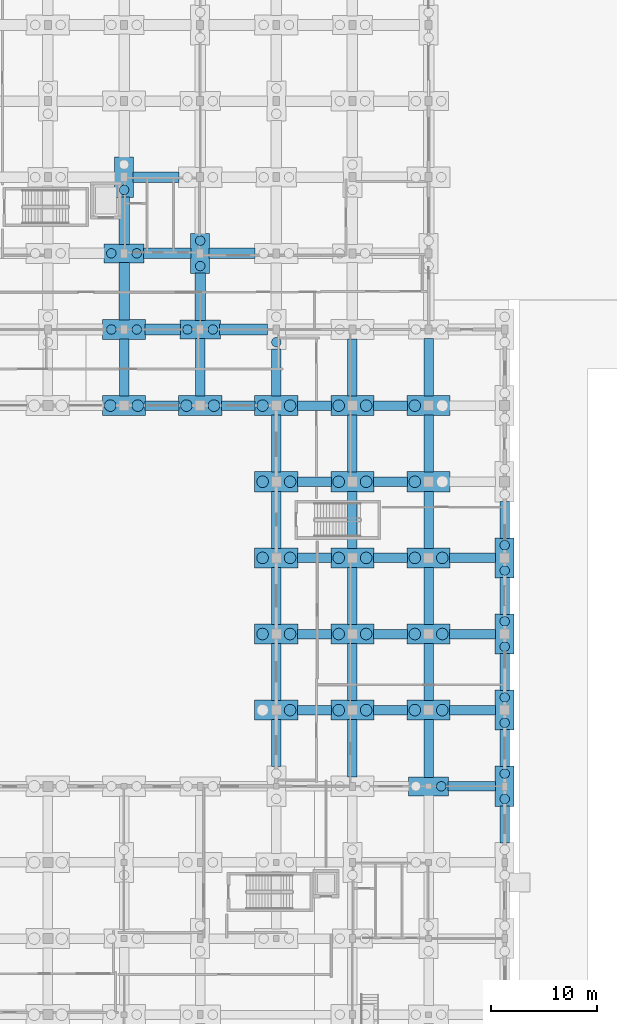
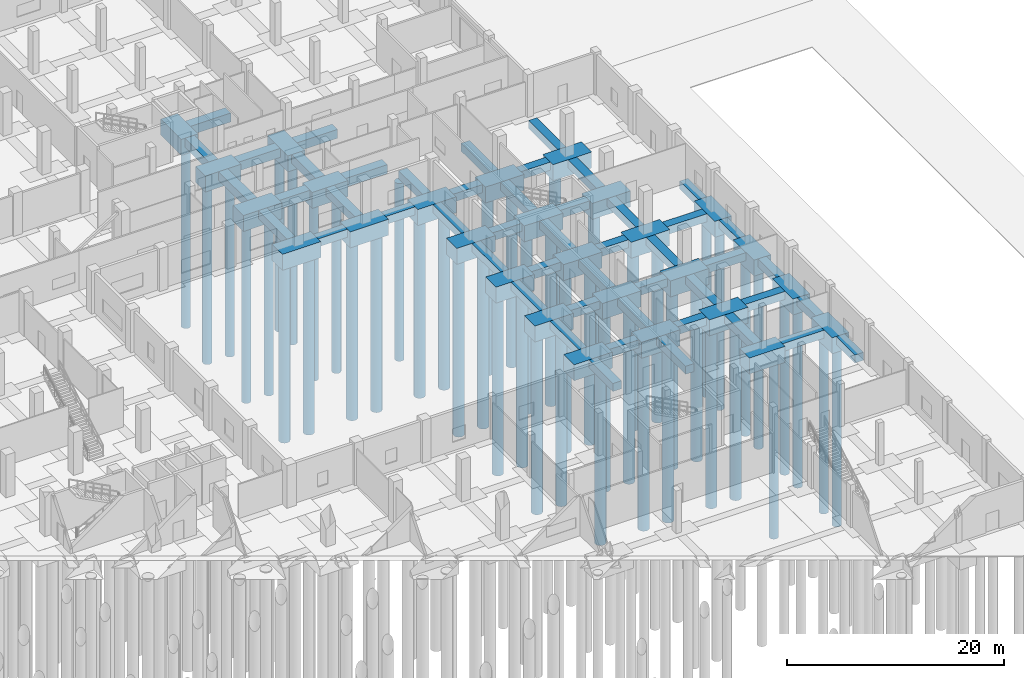
# One storey, part 11 of 48: 76 footings, 50 piles.
"""IFC4 building model written with IfcOpenShell, lengths in metres."""

from ifc_helpers import new_model, si_unit, direction, frame, origin, origin_2d, place, context, subcontext, project, spatial, rectangle, circle, extrude, material, material_profile, profile_set, type_object, element, save


model = new_model("IFC4")

# Units and contexts
model_context = context("Model", 3, precision=1e-05, world=origin(), true_north=direction((0.0, 1.0)))
body_context = subcontext(model_context, "Body", "Model", "MODEL_VIEW")
ifc_project = project(units=[si_unit("LENGTHUNIT", "METRE"), si_unit("AREAUNIT", "SQUARE_METRE"), si_unit("VOLUMEUNIT", "CUBIC_METRE"), si_unit("PLANEANGLEUNIT", "RADIAN"), si_unit("MASSUNIT", "GRAM", prefix="KILO")], contexts=[model_context])

# Site, building, storey
site_placement = place(None, origin())
site = spatial("IfcSite", under=ifc_project, at=site_placement, CompositionType="ELEMENT")
building_placement = place(site_placement, origin())
building = spatial("IfcBuilding", under=site, at=building_placement, Name="Seraya Terrace Polytechnic", CompositionType="ELEMENT")
storey_placement = place(building_placement, origin())
storey = spatial("IfcBuildingStorey", under=building, at=storey_placement, Name="L00", CompositionType="ELEMENT", Elevation=0.0)

# Piles
ifc_material = material(Name="Concrete C40/50", Category="concrete")
ifc_material_profile_1 = material_profile(ifc_material, circle(Radius=0.449951171875, at=origin_2d()), Name="DIA 900")
ifc_profile_set_1 = profile_set([ifc_material_profile_1], Name="Concrete C40/50")
pile_type_1 = type_object("IfcPileType", Name="BP-02", PredefinedType="BORED", material=ifc_profile_set_1)
for number, where, z_axis, x_axis, name in (
    (1, (128.39990234375, 79.199951171875, -1.699951171875), (0.0, 0.0, -1.0), (1.0, 0.0, 0.0), "Bored pile BP-02 1296_0792-1"),
    (2, (130.800048828125, 79.199951171875, -1.699951171875), (0.0, 0.0, -1.0), (1.0, 0.0, 0.0), "Bored pile BP-02 1296_0792-2"),
    (3, (128.39990234375, 86.39990234375, -1.699951171875), (0.0, 0.0, -1.0), (1.0, 0.0, 0.0), "Bored pile BP-02 1296_0864-1"),
    (4, (130.800048828125, 86.39990234375, -1.699951171875), (0.0, 0.0, -1.0), (1.0, 0.0, 0.0), "Bored pile BP-02 1296_0864-2"),
    (5, (129.60009765625, 92.39990234375, -1.699951171875), (0.0, 0.0, -1.0), (1.0, 0.0, 0.0), "Bored pile BP-02 1296_0936-1"),
    (6, (135.60009765625, 79.199951171875, -1.699951171875), (0.0, 0.0, -1.0), (1.0, 0.0, 0.0), "Bored pile BP-02 1368_0792-1"),
    (7, (138.0, 79.199951171875, -1.699951171875), (0.0, 0.0, -1.0), (1.0, 0.0, 0.0), "Bored pile BP-02 1368_0792-2"),
    (8, (136.800048828125, 85.199951171875, -1.699951171875), (0.0, 0.0, -1.0), (1.0, 0.0, 0.0), "Bored pile BP-02 1368_0864-1"),
    (9, (136.800048828125, 87.60009765625, -1.699951171875), (0.0, 0.0, -1.0), (1.0, 0.0, 0.0), "Bored pile BP-02 1368_0864-2"),
    (10, (144.0, 78.0, -1.699951171875), (0.0, 0.0, -1.0), (1.0, 0.0, 0.0), "Bored pile BP-02 1440_0792-1"),
    (11, (159.60009765625, 36.0, -1.699951171875), (0.0, 0.0, -1.0), (1.0, 0.0, 0.0), "Bored pile BP-02 1584_0360-2"),
    (12, (165.60009765625, 34.800048828125, -1.699951171875), (0.0, 0.0, -1.0), (1.0, 0.0, 0.0), "Bored pile BP-02 1656_0360-1"),
    (13, (165.60009765625, 37.199951171875, -1.699951171875), (0.0, 0.0, -1.0), (1.0, 0.0, 0.0), "Bored pile BP-02 1656_0360-2"),
    (14, (165.60009765625, 42.0, -1.699951171875), (0.0, 0.0, -1.0), (1.0, 0.0, 0.0), "Bored pile BP-02 1656_0432-1"),
    (15, (165.60009765625, 44.39990234375, -1.699951171875), (0.0, 0.0, -1.0), (1.0, 0.0, 0.0), "Bored pile BP-02 1656_0432-2"),
    (16, (165.60009765625, 49.199951171875, -1.699951171875), (0.0, 0.0, -1.0), (1.0, 0.0, 0.0), "Bored pile BP-02 1656_0504-1"),
    (17, (165.60009765625, 51.60009765625, -1.699951171875), (0.0, 0.0, -1.0), (1.0, 0.0, 0.0), "Bored pile BP-02 1656_0504-2"),
    (18, (165.60009765625, 56.39990234375, -1.699951171875), (0.0, 0.0, -1.0), (1.0, 0.0, 0.0), "Bored pile BP-02 1656_0576-1"),
    (19, (165.60009765625, 58.800048828125, -1.699951171875), (0.0, 0.0, -1.0), (1.0, 0.0, 0.0), "Bored pile BP-02 1656_0576-2"),
):
    element("IfcPile", number, at=place(storey_placement, frame(where, z_axis=z_axis, x_axis=x_axis)), inside=storey, type_object=pile_type_1, Name=name, PredefinedType="BORED", context=body_context, shape_type="SweptSolid", body=[
        extrude(circle(Radius=0.449951171875, at=origin_2d()), origin(), (0.0, 0.0, 1.0), 20.0),
    ])
ifc_material_profile_2 = material_profile(ifc_material, circle(Radius=0.550048828125, at=origin_2d()), Name="DIA 1100")
ifc_profile_set_2 = profile_set([ifc_material_profile_2], Name="Concrete C40/50")
pile_type_2 = type_object("IfcPileType", Name="BP-04", PredefinedType="BORED", material=ifc_profile_set_2)
for number, where, z_axis, x_axis, name in (
    (20, (128.300048828125, 72.0, -1.699951171875), (0.0, 0.0, -1.0), (1.0, 0.0, 0.0), "Bored pile BP-04 1296_0720-1"),
    (21, (130.89990234375, 72.0, -1.699951171875), (0.0, 0.0, -1.0), (1.0, 0.0, 0.0), "Bored pile BP-04 1296_0720-2"),
    (22, (135.5, 72.0, -1.699951171875), (0.0, 0.0, -1.0), (1.0, 0.0, 0.0), "Bored pile BP-04 1368_0720-1"),
    (23, (138.10009765625, 72.0, -1.699951171875), (0.0, 0.0, -1.0), (1.0, 0.0, 0.0), "Bored pile BP-04 1368_0720-2"),
    (24, (145.300048828125, 43.199951171875, -1.699951171875), (0.0, 0.0, -1.0), (1.0, 0.0, 0.0), "Bored pile BP-04 1440_0432-2"),
    (25, (142.699951171875, 50.39990234375, -1.699951171875), (0.0, 0.0, -1.0), (1.0, 0.0, 0.0), "Bored pile BP-04 1440_0504-1"),
    (26, (145.300048828125, 50.39990234375, -1.699951171875), (0.0, 0.0, -1.0), (1.0, 0.0, 0.0), "Bored pile BP-04 1440_0504-2"),
    (27, (142.699951171875, 57.60009765625, -1.699951171875), (0.0, 0.0, -1.0), (1.0, 0.0, 0.0), "Bored pile BP-04 1440_0576-1"),
    (28, (145.300048828125, 57.60009765625, -1.699951171875), (0.0, 0.0, -1.0), (1.0, 0.0, 0.0), "Bored pile BP-04 1440_0576-2"),
    (29, (142.699951171875, 64.800048828125, -1.699951171875), (0.0, 0.0, -1.0), (1.0, 0.0, 0.0), "Bored pile BP-04 1440_0648-1"),
    (30, (145.300048828125, 64.800048828125, -1.699951171875), (0.0, 0.0, -1.0), (1.0, 0.0, 0.0), "Bored pile BP-04 1440_0648-2"),
    (31, (142.699951171875, 72.0, -1.699951171875), (0.0, 0.0, -1.0), (1.0, 0.0, 0.0), "Bored pile BP-04 1440_0720-1"),
    (32, (145.300048828125, 72.0, -1.699951171875), (0.0, 0.0, -1.0), (1.0, 0.0, 0.0), "Bored pile BP-04 1440_0720-2"),
    (33, (149.89990234375, 43.199951171875, -1.699951171875), (0.0, 0.0, -1.0), (1.0, 0.0, 0.0), "Bored pile BP-04 1512_0432-1"),
    (34, (152.5, 43.199951171875, -1.699951171875), (0.0, 0.0, -1.0), (1.0, 0.0, 0.0), "Bored pile BP-04 1512_0432-2"),
    (35, (149.89990234375, 50.39990234375, -1.699951171875), (0.0, 0.0, -1.0), (1.0, 0.0, 0.0), "Bored pile BP-04 1512_0504-1"),
    (36, (152.5, 50.39990234375, -1.699951171875), (0.0, 0.0, -1.0), (1.0, 0.0, 0.0), "Bored pile BP-04 1512_0504-2"),
    (37, (149.89990234375, 57.60009765625, -1.699951171875), (0.0, 0.0, -1.0), (1.0, 0.0, 0.0), "Bored pile BP-04 1512_0576-1"),
    (38, (152.5, 57.60009765625, -1.699951171875), (0.0, 0.0, -1.0), (1.0, 0.0, 0.0), "Bored pile BP-04 1512_0576-2"),
    (39, (149.89990234375, 64.800048828125, -1.699951171875), (0.0, 0.0, -1.0), (1.0, 0.0, 0.0), "Bored pile BP-04 1512_0648-1"),
    (40, (152.5, 64.800048828125, -1.699951171875), (0.0, 0.0, -1.0), (1.0, 0.0, 0.0), "Bored pile BP-04 1512_0648-2"),
    (41, (149.89990234375, 72.0, -1.699951171875), (0.0, 0.0, -1.0), (1.0, 0.0, 0.0), "Bored pile BP-04 1512_0720-1"),
    (42, (152.5, 72.0, -1.699951171875), (0.0, 0.0, -1.0), (1.0, 0.0, 0.0), "Bored pile BP-04 1512_0720-2"),
    (43, (157.10009765625, 43.199951171875, -1.699951171875), (0.0, 0.0, -1.0), (1.0, 0.0, 0.0), "Bored pile BP-04 1584_0432-1"),
    (44, (159.699951171875, 43.199951171875, -1.699951171875), (0.0, 0.0, -1.0), (1.0, 0.0, 0.0), "Bored pile BP-04 1584_0432-2"),
    (45, (157.10009765625, 50.39990234375, -1.699951171875), (0.0, 0.0, -1.0), (1.0, 0.0, 0.0), "Bored pile BP-04 1584_0504-1"),
    (46, (159.699951171875, 50.39990234375, -1.699951171875), (0.0, 0.0, -1.0), (1.0, 0.0, 0.0), "Bored pile BP-04 1584_0504-2"),
    (47, (157.10009765625, 57.60009765625, -1.699951171875), (0.0, 0.0, -1.0), (1.0, 0.0, 0.0), "Bored pile BP-04 1584_0576-1"),
    (48, (159.699951171875, 57.60009765625, -1.699951171875), (0.0, 0.0, -1.0), (1.0, 0.0, 0.0), "Bored pile BP-04 1584_0576-2"),
    (49, (157.10009765625, 64.800048828125, -1.699951171875), (0.0, 0.0, -1.0), (1.0, 0.0, 0.0), "Bored pile BP-04 1584_0648-1"),
    (50, (157.10009765625, 72.0, -1.699951171875), (0.0, 0.0, -1.0), (1.0, 0.0, 0.0), "Bored pile BP-04 1584_0720-1"),
):
    element("IfcPile", number, at=place(storey_placement, frame(where, z_axis=z_axis, x_axis=x_axis)), inside=storey, type_object=pile_type_2, Name=name, PredefinedType="BORED", context=body_context, shape_type="SweptSolid", body=[
        extrude(circle(Radius=0.550048828125, at=origin_2d()), origin(), (0.0, 0.0, 1.0), 20.0),
    ])

# Footings
footing_type_1 = type_object("IfcFootingType", Name="FB-01", PredefinedType="FOOTING_BEAM", material=ifc_material)
footing_1_placement = place(storey_placement, frame((133.199951171875, 72.0, -0.89990234375), z_axis=(0.0, 0.0, 1.0), x_axis=(1.0, 0.0, 0.0)))
element("IfcFooting", 51, at=footing_1_placement, inside=storey, type_object=footing_type_1, Name="Foundation tie beam FB-01 X", PredefinedType="FOOTING_BEAM", context=body_context, shape_type="SweptSolid", body=[
    extrude(rectangle(XDim=3.199951171875, YDim=0.89990234375, at=origin_2d()), origin(), (0.0, 0.0, 1.0), 0.89990234375),
])
footing_2_placement = place(storey_placement, frame((129.60009765625, 75.60009765625, -0.89990234375), z_axis=(0.0, 0.0, 1.0), x_axis=(0.0, 1.0, 0.0)))
element("IfcFooting", 52, at=footing_2_placement, inside=storey, type_object=footing_type_1, Name="Foundation tie beam FB-01 Y", PredefinedType="FOOTING_BEAM", context=body_context, shape_type="SweptSolid", body=[
    extrude(rectangle(XDim=5.39990234375, YDim=0.89990234375, at=origin_2d()), origin(), (0.0, 0.0, 1.0), 0.89990234375),
])
footing_3_placement = place(storey_placement, frame((140.39990234375, 72.0, -0.89990234375), z_axis=(0.0, 0.0, 1.0), x_axis=(1.0, 0.0, 0.0)))
element("IfcFooting", 53, at=footing_3_placement, inside=storey, type_object=footing_type_1, Name="Foundation tie beam FB-01 X", PredefinedType="FOOTING_BEAM", context=body_context, shape_type="SweptSolid", body=[
    extrude(rectangle(XDim=3.199951171875, YDim=0.89990234375, at=origin_2d()), origin(), (0.0, 0.0, 1.0), 0.89990234375),
])
footing_4_placement = place(storey_placement, frame((136.800048828125, 75.625, -0.89990234375), z_axis=(0.0, 0.0, 1.0), x_axis=(0.0, 1.0, 0.0)))
element("IfcFooting", 54, at=footing_4_placement, inside=storey, type_object=footing_type_1, Name="Foundation tie beam FB-01 Y", PredefinedType="FOOTING_BEAM", context=body_context, shape_type="SweptSolid", body=[
    extrude(rectangle(XDim=5.449951171875, YDim=0.89990234375, at=origin_2d()), origin(), (0.0, 0.0, 1.0), 0.89990234375),
])
footing_5_placement = place(storey_placement, frame((144.0, 40.074951171875, -0.89990234375), z_axis=(0.0, 0.0, 1.0), x_axis=(0.0, 1.0, 0.0)))
element("IfcFooting", 55, at=footing_5_placement, inside=storey, type_object=footing_type_1, Name="Foundation tie beam FB-01 Y", PredefinedType="FOOTING_BEAM", context=body_context, shape_type="SweptSolid", body=[
    extrude(rectangle(XDim=4.449951171875, YDim=0.89990234375, at=origin_2d()), origin(), (0.0, 0.0, 1.0), 0.89990234375),
])
footing_6_placement = place(storey_placement, frame((147.60009765625, 43.199951171875, -0.89990234375), z_axis=(0.0, 0.0, 1.0), x_axis=(1.0, 0.0, 0.0)))
element("IfcFooting", 56, at=footing_6_placement, inside=storey, type_object=footing_type_1, Name="Foundation tie beam FB-01 X", PredefinedType="FOOTING_BEAM", context=body_context, shape_type="SweptSolid", body=[
    extrude(rectangle(XDim=3.199951171875, YDim=0.89990234375, at=origin_2d()), origin(), (0.0, 0.0, 1.0), 0.89990234375),
])
footing_7_placement = place(storey_placement, frame((144.0, 46.800048828125, -0.89990234375), z_axis=(0.0, 0.0, 1.0), x_axis=(0.0, 1.0, 0.0)))
element("IfcFooting", 57, at=footing_7_placement, inside=storey, type_object=footing_type_1, Name="Foundation tie beam FB-01 Y", PredefinedType="FOOTING_BEAM", context=body_context, shape_type="SweptSolid", body=[
    extrude(rectangle(XDim=5.39990234375, YDim=0.89990234375, at=origin_2d()), origin(), (0.0, 0.0, 1.0), 0.89990234375),
])
footing_8_placement = place(storey_placement, frame((147.60009765625, 50.39990234375, -0.89990234375), z_axis=(0.0, 0.0, 1.0), x_axis=(1.0, 0.0, 0.0)))
element("IfcFooting", 58, at=footing_8_placement, inside=storey, type_object=footing_type_1, Name="Foundation tie beam FB-01 X", PredefinedType="FOOTING_BEAM", context=body_context, shape_type="SweptSolid", body=[
    extrude(rectangle(XDim=3.199951171875, YDim=0.89990234375, at=origin_2d()), origin(), (0.0, 0.0, 1.0), 0.89990234375),
])
footing_9_placement = place(storey_placement, frame((144.0, 54.0, -0.89990234375), z_axis=(0.0, 0.0, 1.0), x_axis=(0.0, 1.0, 0.0)))
element("IfcFooting", 59, at=footing_9_placement, inside=storey, type_object=footing_type_1, Name="Foundation tie beam FB-01 Y", PredefinedType="FOOTING_BEAM", context=body_context, shape_type="SweptSolid", body=[
    extrude(rectangle(XDim=5.39990234375, YDim=0.89990234375, at=origin_2d()), origin(), (0.0, 0.0, 1.0), 0.89990234375),
])
footing_10_placement = place(storey_placement, frame((147.60009765625, 57.60009765625, -0.89990234375), z_axis=(0.0, 0.0, 1.0), x_axis=(1.0, 0.0, 0.0)))
element("IfcFooting", 60, at=footing_10_placement, inside=storey, type_object=footing_type_1, Name="Foundation tie beam FB-01 X", PredefinedType="FOOTING_BEAM", context=body_context, shape_type="SweptSolid", body=[
    extrude(rectangle(XDim=3.199951171875, YDim=0.89990234375, at=origin_2d()), origin(), (0.0, 0.0, 1.0), 0.89990234375),
])
footing_11_placement = place(storey_placement, frame((144.0, 61.199951171875, -0.89990234375), z_axis=(0.0, 0.0, 1.0), x_axis=(0.0, 1.0, 0.0)))
element("IfcFooting", 61, at=footing_11_placement, inside=storey, type_object=footing_type_1, Name="Foundation tie beam FB-01 Y", PredefinedType="FOOTING_BEAM", context=body_context, shape_type="SweptSolid", body=[
    extrude(rectangle(XDim=5.39990234375, YDim=0.89990234375, at=origin_2d()), origin(), (0.0, 0.0, 1.0), 0.89990234375),
])
footing_12_placement = place(storey_placement, frame((147.60009765625, 64.800048828125, -0.89990234375), z_axis=(0.0, 0.0, 1.0), x_axis=(1.0, 0.0, 0.0)))
element("IfcFooting", 62, at=footing_12_placement, inside=storey, type_object=footing_type_1, Name="Foundation tie beam FB-01 X", PredefinedType="FOOTING_BEAM", context=body_context, shape_type="SweptSolid", body=[
    extrude(rectangle(XDim=3.199951171875, YDim=0.89990234375, at=origin_2d()), origin(), (0.0, 0.0, 1.0), 0.89990234375),
])
footing_13_placement = place(storey_placement, frame((144.0, 68.39990234375, -0.89990234375), z_axis=(0.0, 0.0, 1.0), x_axis=(0.0, 1.0, 0.0)))
element("IfcFooting", 63, at=footing_13_placement, inside=storey, type_object=footing_type_1, Name="Foundation tie beam FB-01 Y", PredefinedType="FOOTING_BEAM", context=body_context, shape_type="SweptSolid", body=[
    extrude(rectangle(XDim=5.39990234375, YDim=0.89990234375, at=origin_2d()), origin(), (0.0, 0.0, 1.0), 0.89990234375),
])
footing_14_placement = place(storey_placement, frame((147.60009765625, 72.0, -0.89990234375), z_axis=(0.0, 0.0, 1.0), x_axis=(1.0, 0.0, 0.0)))
element("IfcFooting", 64, at=footing_14_placement, inside=storey, type_object=footing_type_1, Name="Foundation tie beam FB-01 X", PredefinedType="FOOTING_BEAM", context=body_context, shape_type="SweptSolid", body=[
    extrude(rectangle(XDim=3.199951171875, YDim=0.89990234375, at=origin_2d()), origin(), (0.0, 0.0, 1.0), 0.89990234375),
])
footing_15_placement = place(storey_placement, frame((144.0, 75.125, -0.89990234375), z_axis=(0.0, 0.0, 1.0), x_axis=(0.0, 1.0, 0.0)))
element("IfcFooting", 65, at=footing_15_placement, inside=storey, type_object=footing_type_1, Name="Foundation tie beam FB-01 Y", PredefinedType="FOOTING_BEAM", context=body_context, shape_type="SweptSolid", body=[
    extrude(rectangle(XDim=4.449951171875, YDim=0.89990234375, at=origin_2d()), origin(), (0.0, 0.0, 1.0), 0.89990234375),
])
footing_16_placement = place(storey_placement, frame((151.199951171875, 39.60009765625, -0.89990234375), z_axis=(0.0, 0.0, 1.0), x_axis=(0.0, 1.0, 0.0)))
element("IfcFooting", 66, at=footing_16_placement, inside=storey, type_object=footing_type_1, Name="Foundation tie beam FB-01 Y", PredefinedType="FOOTING_BEAM", context=body_context, shape_type="SweptSolid", body=[
    extrude(rectangle(XDim=5.39990234375, YDim=0.89990234375, at=origin_2d()), origin(), (0.0, 0.0, 1.0), 0.89990234375),
])
footing_17_placement = place(storey_placement, frame((154.800048828125, 43.199951171875, -0.89990234375), z_axis=(0.0, 0.0, 1.0), x_axis=(1.0, 0.0, 0.0)))
element("IfcFooting", 67, at=footing_17_placement, inside=storey, type_object=footing_type_1, Name="Foundation tie beam FB-01 X", PredefinedType="FOOTING_BEAM", context=body_context, shape_type="SweptSolid", body=[
    extrude(rectangle(XDim=3.199951171875, YDim=0.89990234375, at=origin_2d()), origin(), (0.0, 0.0, 1.0), 0.89990234375),
])
footing_18_placement = place(storey_placement, frame((151.199951171875, 46.800048828125, -0.89990234375), z_axis=(0.0, 0.0, 1.0), x_axis=(0.0, 1.0, 0.0)))
element("IfcFooting", 68, at=footing_18_placement, inside=storey, type_object=footing_type_1, Name="Foundation tie beam FB-01 Y", PredefinedType="FOOTING_BEAM", context=body_context, shape_type="SweptSolid", body=[
    extrude(rectangle(XDim=5.39990234375, YDim=0.89990234375, at=origin_2d()), origin(), (0.0, 0.0, 1.0), 0.89990234375),
])
footing_19_placement = place(storey_placement, frame((154.800048828125, 50.39990234375, -0.89990234375), z_axis=(0.0, 0.0, 1.0), x_axis=(1.0, 0.0, 0.0)))
element("IfcFooting", 69, at=footing_19_placement, inside=storey, type_object=footing_type_1, Name="Foundation tie beam FB-01 X", PredefinedType="FOOTING_BEAM", context=body_context, shape_type="SweptSolid", body=[
    extrude(rectangle(XDim=3.199951171875, YDim=0.89990234375, at=origin_2d()), origin(), (0.0, 0.0, 1.0), 0.89990234375),
])
footing_20_placement = place(storey_placement, frame((151.199951171875, 54.0, -0.89990234375), z_axis=(0.0, 0.0, 1.0), x_axis=(0.0, 1.0, 0.0)))
element("IfcFooting", 70, at=footing_20_placement, inside=storey, type_object=footing_type_1, Name="Foundation tie beam FB-01 Y", PredefinedType="FOOTING_BEAM", context=body_context, shape_type="SweptSolid", body=[
    extrude(rectangle(XDim=5.39990234375, YDim=0.89990234375, at=origin_2d()), origin(), (0.0, 0.0, 1.0), 0.89990234375),
])
footing_21_placement = place(storey_placement, frame((154.800048828125, 57.60009765625, -0.89990234375), z_axis=(0.0, 0.0, 1.0), x_axis=(1.0, 0.0, 0.0)))
element("IfcFooting", 71, at=footing_21_placement, inside=storey, type_object=footing_type_1, Name="Foundation tie beam FB-01 X", PredefinedType="FOOTING_BEAM", context=body_context, shape_type="SweptSolid", body=[
    extrude(rectangle(XDim=3.199951171875, YDim=0.89990234375, at=origin_2d()), origin(), (0.0, 0.0, 1.0), 0.89990234375),
])
footing_22_placement = place(storey_placement, frame((151.199951171875, 61.199951171875, -0.89990234375), z_axis=(0.0, 0.0, 1.0), x_axis=(0.0, 1.0, 0.0)))
element("IfcFooting", 72, at=footing_22_placement, inside=storey, type_object=footing_type_1, Name="Foundation tie beam FB-01 Y", PredefinedType="FOOTING_BEAM", context=body_context, shape_type="SweptSolid", body=[
    extrude(rectangle(XDim=5.39990234375, YDim=0.89990234375, at=origin_2d()), origin(), (0.0, 0.0, 1.0), 0.89990234375),
])
footing_23_placement = place(storey_placement, frame((154.800048828125, 64.800048828125, -0.89990234375), z_axis=(0.0, 0.0, 1.0), x_axis=(1.0, 0.0, 0.0)))
element("IfcFooting", 73, at=footing_23_placement, inside=storey, type_object=footing_type_1, Name="Foundation tie beam FB-01 X", PredefinedType="FOOTING_BEAM", context=body_context, shape_type="SweptSolid", body=[
    extrude(rectangle(XDim=3.199951171875, YDim=0.89990234375, at=origin_2d()), origin(), (0.0, 0.0, 1.0), 0.89990234375),
])
footing_24_placement = place(storey_placement, frame((151.199951171875, 68.39990234375, -0.89990234375), z_axis=(0.0, 0.0, 1.0), x_axis=(0.0, 1.0, 0.0)))
element("IfcFooting", 74, at=footing_24_placement, inside=storey, type_object=footing_type_1, Name="Foundation tie beam FB-01 Y", PredefinedType="FOOTING_BEAM", context=body_context, shape_type="SweptSolid", body=[
    extrude(rectangle(XDim=5.39990234375, YDim=0.89990234375, at=origin_2d()), origin(), (0.0, 0.0, 1.0), 0.89990234375),
])
footing_25_placement = place(storey_placement, frame((154.800048828125, 72.0, -0.89990234375), z_axis=(0.0, 0.0, 1.0), x_axis=(1.0, 0.0, 0.0)))
element("IfcFooting", 75, at=footing_25_placement, inside=storey, type_object=footing_type_1, Name="Foundation tie beam FB-01 X", PredefinedType="FOOTING_BEAM", context=body_context, shape_type="SweptSolid", body=[
    extrude(rectangle(XDim=3.199951171875, YDim=0.89990234375, at=origin_2d()), origin(), (0.0, 0.0, 1.0), 0.89990234375),
])
footing_26_placement = place(storey_placement, frame((151.199951171875, 75.60009765625, -0.89990234375), z_axis=(0.0, 0.0, 1.0), x_axis=(0.0, 1.0, 0.0)))
element("IfcFooting", 76, at=footing_26_placement, inside=storey, type_object=footing_type_1, Name="Foundation tie beam FB-01 Y", PredefinedType="FOOTING_BEAM", context=body_context, shape_type="SweptSolid", body=[
    extrude(rectangle(XDim=5.39990234375, YDim=0.89990234375, at=origin_2d()), origin(), (0.0, 0.0, 1.0), 0.89990234375),
])
footing_27_placement = place(storey_placement, frame((162.5, 36.0, -0.89990234375), z_axis=(0.0, 0.0, 1.0), x_axis=(1.0, 0.0, 0.0)))
element("IfcFooting", 77, at=footing_27_placement, inside=storey, type_object=footing_type_1, Name="Foundation tie beam FB-01 X", PredefinedType="FOOTING_BEAM", context=body_context, shape_type="SweptSolid", body=[
    extrude(rectangle(XDim=4.5, YDim=0.89990234375, at=origin_2d()), origin(), (0.0, 0.0, 1.0), 0.89990234375),
])
footing_28_placement = place(storey_placement, frame((158.39990234375, 39.574951171875, -0.89990234375), z_axis=(0.0, 0.0, 1.0), x_axis=(0.0, 1.0, 0.0)))
element("IfcFooting", 78, at=footing_28_placement, inside=storey, type_object=footing_type_1, Name="Foundation tie beam FB-01 Y", PredefinedType="FOOTING_BEAM", context=body_context, shape_type="SweptSolid", body=[
    extrude(rectangle(XDim=5.449951171875, YDim=0.89990234375, at=origin_2d()), origin(), (0.0, 0.0, 1.0), 0.89990234375),
])
footing_29_placement = place(storey_placement, frame((162.574951171875, 43.199951171875, -0.89990234375), z_axis=(0.0, 0.0, 1.0), x_axis=(1.0, 0.0, 0.0)))
element("IfcFooting", 79, at=footing_29_placement, inside=storey, type_object=footing_type_1, Name="Foundation tie beam FB-01 X", PredefinedType="FOOTING_BEAM", context=body_context, shape_type="SweptSolid", body=[
    extrude(rectangle(XDim=4.35009765625, YDim=0.89990234375, at=origin_2d()), origin(), (0.0, 0.0, 1.0), 0.89990234375),
])
footing_30_placement = place(storey_placement, frame((158.39990234375, 46.800048828125, -0.89990234375), z_axis=(0.0, 0.0, 1.0), x_axis=(0.0, 1.0, 0.0)))
element("IfcFooting", 80, at=footing_30_placement, inside=storey, type_object=footing_type_1, Name="Foundation tie beam FB-01 Y", PredefinedType="FOOTING_BEAM", context=body_context, shape_type="SweptSolid", body=[
    extrude(rectangle(XDim=5.39990234375, YDim=0.89990234375, at=origin_2d()), origin(), (0.0, 0.0, 1.0), 0.89990234375),
])
footing_31_placement = place(storey_placement, frame((162.574951171875, 50.39990234375, -0.89990234375), z_axis=(0.0, 0.0, 1.0), x_axis=(1.0, 0.0, 0.0)))
element("IfcFooting", 81, at=footing_31_placement, inside=storey, type_object=footing_type_1, Name="Foundation tie beam FB-01 X", PredefinedType="FOOTING_BEAM", context=body_context, shape_type="SweptSolid", body=[
    extrude(rectangle(XDim=4.35009765625, YDim=0.89990234375, at=origin_2d()), origin(), (0.0, 0.0, 1.0), 0.89990234375),
])
footing_32_placement = place(storey_placement, frame((158.39990234375, 54.0, -0.89990234375), z_axis=(0.0, 0.0, 1.0), x_axis=(0.0, 1.0, 0.0)))
element("IfcFooting", 82, at=footing_32_placement, inside=storey, type_object=footing_type_1, Name="Foundation tie beam FB-01 Y", PredefinedType="FOOTING_BEAM", context=body_context, shape_type="SweptSolid", body=[
    extrude(rectangle(XDim=5.39990234375, YDim=0.89990234375, at=origin_2d()), origin(), (0.0, 0.0, 1.0), 0.89990234375),
])
footing_33_placement = place(storey_placement, frame((162.574951171875, 57.60009765625, -0.89990234375), z_axis=(0.0, 0.0, 1.0), x_axis=(1.0, 0.0, 0.0)))
element("IfcFooting", 83, at=footing_33_placement, inside=storey, type_object=footing_type_1, Name="Foundation tie beam FB-01 X", PredefinedType="FOOTING_BEAM", context=body_context, shape_type="SweptSolid", body=[
    extrude(rectangle(XDim=4.35009765625, YDim=0.89990234375, at=origin_2d()), origin(), (0.0, 0.0, 1.0), 0.89990234375),
])
for number, where, z_axis, x_axis, name in (
    (84, (158.39990234375, 61.199951171875, -0.89990234375), (0.0, 0.0, 1.0), (0.0, 1.0, 0.0), "Foundation tie beam FB-01 Y"),
    (85, (158.39990234375, 68.39990234375, -0.89990234375), (0.0, 0.0, 1.0), (0.0, 1.0, 0.0), "Foundation tie beam FB-01 Y"),
):
    element("IfcFooting", number, at=place(storey_placement, frame(where, z_axis=z_axis, x_axis=x_axis)), inside=storey, type_object=footing_type_1, Name=name, PredefinedType="FOOTING_BEAM", context=body_context, shape_type="SweptSolid", body=[
        extrude(rectangle(XDim=5.39990234375, YDim=0.89990234375, at=origin_2d()), origin(), (0.0, 0.0, 1.0), 0.89990234375),
    ])
footing_34_placement = place(storey_placement, frame((158.39990234375, 75.625, -0.89990234375), z_axis=(0.0, 0.0, 1.0), x_axis=(0.0, 1.0, 0.0)))
element("IfcFooting", 86, at=footing_34_placement, inside=storey, type_object=footing_type_1, Name="Foundation tie beam FB-01 Y", PredefinedType="FOOTING_BEAM", context=body_context, shape_type="SweptSolid", body=[
    extrude(rectangle(XDim=5.449951171875, YDim=0.89990234375, at=origin_2d()), origin(), (0.0, 0.0, 1.0), 0.89990234375),
])
for number, where, z_axis, x_axis, name in (
    (87, (165.60009765625, 32.39990234375, -0.89990234375), (0.0, 0.0, 1.0), (0.0, 1.0, 0.0), "Foundation tie beam FB-01 Y"),
    (88, (165.60009765625, 39.60009765625, -0.89990234375), (0.0, 0.0, 1.0), (0.0, 1.0, 0.0), "Foundation tie beam FB-01 Y"),
    (89, (165.60009765625, 46.800048828125, -0.89990234375), (0.0, 0.0, 1.0), (0.0, 1.0, 0.0), "Foundation tie beam FB-01 Y"),
    (90, (165.60009765625, 54.0, -0.89990234375), (0.0, 0.0, 1.0), (0.0, 1.0, 0.0), "Foundation tie beam FB-01 Y"),
    (91, (165.60009765625, 61.199951171875, -0.89990234375), (0.0, 0.0, 1.0), (0.0, 1.0, 0.0), "Foundation tie beam FB-01 Y"),
):
    element("IfcFooting", number, at=place(storey_placement, frame(where, z_axis=z_axis, x_axis=x_axis)), inside=storey, type_object=footing_type_1, Name=name, PredefinedType="FOOTING_BEAM", context=body_context, shape_type="SweptSolid", body=[
        extrude(rectangle(XDim=3.5, YDim=0.89990234375, at=origin_2d()), origin(), (0.0, 0.0, 1.0), 0.89990234375),
    ])
footing_type_2 = type_object("IfcFootingType", Name="FB-03", PredefinedType="FOOTING_BEAM", material=ifc_material)
footing_35_placement = place(storey_placement, frame((133.27490234375, 79.199951171875, -1.0), z_axis=(0.0, 0.0, 1.0), x_axis=(1.0, 0.0, 0.0)))
element("IfcFooting", 92, at=footing_35_placement, inside=storey, type_object=footing_type_2, Name="Foundation tie beam FB-03 X", PredefinedType="FOOTING_BEAM", context=body_context, shape_type="SweptSolid", body=[
    extrude(rectangle(XDim=3.35009765625, YDim=1.0, at=origin_2d()), origin(), (0.0, 0.0, 1.0), 1.0),
])
footing_36_placement = place(storey_placement, frame((129.60009765625, 82.824951171875, -1.0), z_axis=(0.0, 0.0, 1.0), x_axis=(0.0, 1.0, 0.0)))
element("IfcFooting", 93, at=footing_36_placement, inside=storey, type_object=footing_type_2, Name="Foundation tie beam FB-03 Y", PredefinedType="FOOTING_BEAM", context=body_context, shape_type="SweptSolid", body=[
    extrude(rectangle(XDim=5.449951171875, YDim=1.0, at=origin_2d()), origin(), (0.0, 0.0, 1.0), 1.0),
])
for number, where, z_axis, x_axis, name in (
    (94, (133.699951171875, 86.39990234375, -1.0), (0.0, 0.0, 1.0), (1.0, 0.0, 0.0), "Foundation tie beam FB-03 X"),
    (95, (129.60009765625, 89.5, -1.0), (0.0, 0.0, 1.0), (0.0, 1.0, 0.0), "Foundation tie beam FB-03 Y"),
):
    element("IfcFooting", number, at=place(storey_placement, frame(where, z_axis=z_axis, x_axis=x_axis)), inside=storey, type_object=footing_type_2, Name=name, PredefinedType="FOOTING_BEAM", context=body_context, shape_type="SweptSolid", body=[
        extrude(rectangle(XDim=4.5, YDim=1.0, at=origin_2d()), origin(), (0.0, 0.0, 1.0), 1.0),
    ])
footing_37_placement = place(storey_placement, frame((132.625, 93.60009765625, -1.0), z_axis=(0.0, 0.0, 1.0), x_axis=(1.0, 0.0, 0.0)))
element("IfcFooting", 96, at=footing_37_placement, inside=storey, type_object=footing_type_2, Name="Foundation tie beam FB-03 X", PredefinedType="FOOTING_BEAM", context=body_context, shape_type="SweptSolid", body=[
    extrude(rectangle(XDim=4.35009765625, YDim=1.0, at=origin_2d()), origin(), (0.0, 0.0, 1.0), 1.0),
])
for number, where, z_axis, x_axis, name in (
    (97, (140.89990234375, 79.199951171875, -1.0), (0.0, 0.0, 1.0), (1.0, 0.0, 0.0), "Foundation tie beam FB-03 X"),
    (98, (136.800048828125, 82.300048828125, -1.0), (0.0, 0.0, 1.0), (0.0, 1.0, 0.0), "Foundation tie beam FB-03 Y"),
):
    element("IfcFooting", number, at=place(storey_placement, frame(where, z_axis=z_axis, x_axis=x_axis)), inside=storey, type_object=footing_type_2, Name=name, PredefinedType="FOOTING_BEAM", context=body_context, shape_type="SweptSolid", body=[
        extrude(rectangle(XDim=4.5, YDim=1.0, at=origin_2d()), origin(), (0.0, 0.0, 1.0), 1.0),
    ])
footing_38_placement = place(storey_placement, frame((139.824951171875, 86.39990234375, -1.0), z_axis=(0.0, 0.0, 1.0), x_axis=(1.0, 0.0, 0.0)))
element("IfcFooting", 99, at=footing_38_placement, inside=storey, type_object=footing_type_2, Name="Foundation tie beam FB-03 X", PredefinedType="FOOTING_BEAM", context=body_context, shape_type="SweptSolid", body=[
    extrude(rectangle(XDim=4.35009765625, YDim=1.0, at=origin_2d()), origin(), (0.0, 0.0, 1.0), 1.0),
])
footing_type_3 = type_object("IfcFootingType", Name="PC-03", PredefinedType="PILE_CAP", material=ifc_material)
for number, where, z_axis, x_axis, name in (
    (100, (129.60009765625, 86.39990234375, -1.7998046875), (0.0, 0.0, 1.0), (1.0, 0.0, 0.0), "Pile cap PC-03 at (129.6, 86.4)"),
    (101, (136.800048828125, 79.199951171875, -1.7998046875), (0.0, 0.0, 1.0), (1.0, 0.0, 0.0), "Pile cap PC-03 at (136.8, 79.2)"),
    (102, (158.39990234375, 36.0, -1.7998046875), (0.0, 0.0, 1.0), (1.0, 0.0, 0.0), "Pile cap PC-03 at (158.4, 36.0)"),
):
    element("IfcFooting", number, at=place(storey_placement, frame(where, z_axis=z_axis, x_axis=x_axis)), inside=storey, type_object=footing_type_3, Name=name, PredefinedType="PILE_CAP", context=body_context, shape_type="SweptSolid", body=[
        extrude(rectangle(XDim=3.800048828125, YDim=1.800048828125, at=origin_2d()), origin(), (0.0, 0.0, 1.0), 1.800048828125),
    ])
footing_type_4 = type_object("IfcFootingType", Name="PC-04", PredefinedType="PILE_CAP", material=ifc_material)
for number, where, z_axis, x_axis, name in (
    (103, (129.60009765625, 93.60009765625, -1.7998046875), (0.0, 0.0, 1.0), (1.0, 0.0, 0.0), "Pile cap PC-04 at (129.6, 93.6)"),
    (104, (136.800048828125, 86.39990234375, -1.7998046875), (0.0, 0.0, 1.0), (1.0, 0.0, 0.0), "Pile cap PC-04 at (136.8, 86.4)"),
    (105, (165.60009765625, 36.0, -1.7998046875), (0.0, 0.0, 1.0), (1.0, 0.0, 0.0), "Pile cap PC-04 at (165.6, 36.0)"),
    (106, (165.60009765625, 43.199951171875, -1.7998046875), (0.0, 0.0, 1.0), (1.0, 0.0, 0.0), "Pile cap PC-04 at (165.6, 43.2)"),
    (107, (165.60009765625, 50.39990234375, -1.7998046875), (0.0, 0.0, 1.0), (1.0, 0.0, 0.0), "Pile cap PC-04 at (165.6, 50.4)"),
    (108, (165.60009765625, 57.60009765625, -1.7998046875), (0.0, 0.0, 1.0), (1.0, 0.0, 0.0), "Pile cap PC-04 at (165.6, 57.6)"),
):
    element("IfcFooting", number, at=place(storey_placement, frame(where, z_axis=z_axis, x_axis=x_axis)), inside=storey, type_object=footing_type_4, Name=name, PredefinedType="PILE_CAP", context=body_context, shape_type="SweptSolid", body=[
        extrude(rectangle(XDim=1.800048828125, YDim=3.800048828125, at=origin_2d()), origin(), (0.0, 0.0, 1.0), 1.800048828125),
    ])
footing_type_5 = type_object("IfcFootingType", Name="PC-05", PredefinedType="PILE_CAP", material=ifc_material)
for number, where, z_axis, x_axis, name in (
    (109, (129.60009765625, 72.0, -1.7998046875), (0.0, 0.0, 1.0), (1.0, 0.0, 0.0), "Pile cap PC-05 at (129.6, 72.0)"),
    (110, (129.60009765625, 79.199951171875, -1.7998046875), (0.0, 0.0, 1.0), (1.0, 0.0, 0.0), "Pile cap PC-05 at (129.6, 79.2)"),
    (111, (136.800048828125, 72.0, -1.7998046875), (0.0, 0.0, 1.0), (1.0, 0.0, 0.0), "Pile cap PC-05 at (136.8, 72.0)"),
    (112, (144.0, 43.199951171875, -1.7998046875), (0.0, 0.0, 1.0), (1.0, 0.0, 0.0), "Pile cap PC-05 at (144.0, 43.2)"),
    (113, (144.0, 50.39990234375, -1.7998046875), (0.0, 0.0, 1.0), (1.0, 0.0, 0.0), "Pile cap PC-05 at (144.0, 50.4)"),
    (114, (144.0, 57.60009765625, -1.7998046875), (0.0, 0.0, 1.0), (1.0, 0.0, 0.0), "Pile cap PC-05 at (144.0, 57.6)"),
    (115, (144.0, 64.800048828125, -1.7998046875), (0.0, 0.0, 1.0), (1.0, 0.0, 0.0), "Pile cap PC-05 at (144.0, 64.8)"),
    (116, (144.0, 72.0, -1.7998046875), (0.0, 0.0, 1.0), (1.0, 0.0, 0.0), "Pile cap PC-05 at (144.0, 72.0)"),
    (117, (151.199951171875, 43.199951171875, -1.7998046875), (0.0, 0.0, 1.0), (1.0, 0.0, 0.0), "Pile cap PC-05 at (151.2, 43.2)"),
    (118, (151.199951171875, 50.39990234375, -1.7998046875), (0.0, 0.0, 1.0), (1.0, 0.0, 0.0), "Pile cap PC-05 at (151.2, 50.4)"),
    (119, (151.199951171875, 57.60009765625, -1.7998046875), (0.0, 0.0, 1.0), (1.0, 0.0, 0.0), "Pile cap PC-05 at (151.2, 57.6)"),
    (120, (151.199951171875, 64.800048828125, -1.7998046875), (0.0, 0.0, 1.0), (1.0, 0.0, 0.0), "Pile cap PC-05 at (151.2, 64.8)"),
    (121, (151.199951171875, 72.0, -1.7998046875), (0.0, 0.0, 1.0), (1.0, 0.0, 0.0), "Pile cap PC-05 at (151.2, 72.0)"),
    (122, (158.39990234375, 43.199951171875, -1.7998046875), (0.0, 0.0, 1.0), (1.0, 0.0, 0.0), "Pile cap PC-05 at (158.4, 43.2)"),
    (123, (158.39990234375, 50.39990234375, -1.7998046875), (0.0, 0.0, 1.0), (1.0, 0.0, 0.0), "Pile cap PC-05 at (158.4, 50.4)"),
    (124, (158.39990234375, 57.60009765625, -1.7998046875), (0.0, 0.0, 1.0), (1.0, 0.0, 0.0), "Pile cap PC-05 at (158.4, 57.6)"),
    (125, (158.39990234375, 64.800048828125, -1.7998046875), (0.0, 0.0, 1.0), (1.0, 0.0, 0.0), "Pile cap PC-05 at (158.4, 64.8)"),
    (126, (158.39990234375, 72.0, -1.7998046875), (0.0, 0.0, 1.0), (1.0, 0.0, 0.0), "Pile cap PC-05 at (158.4, 72.0)"),
):
    element("IfcFooting", number, at=place(storey_placement, frame(where, z_axis=z_axis, x_axis=x_axis)), inside=storey, type_object=footing_type_5, Name=name, PredefinedType="PILE_CAP", context=body_context, shape_type="SweptSolid", body=[
        extrude(rectangle(XDim=4.10009765625, YDim=1.89990234375, at=origin_2d()), origin(), (0.0, 0.0, 1.0), 1.800048828125),
    ])

save(model, "model.ifc")
